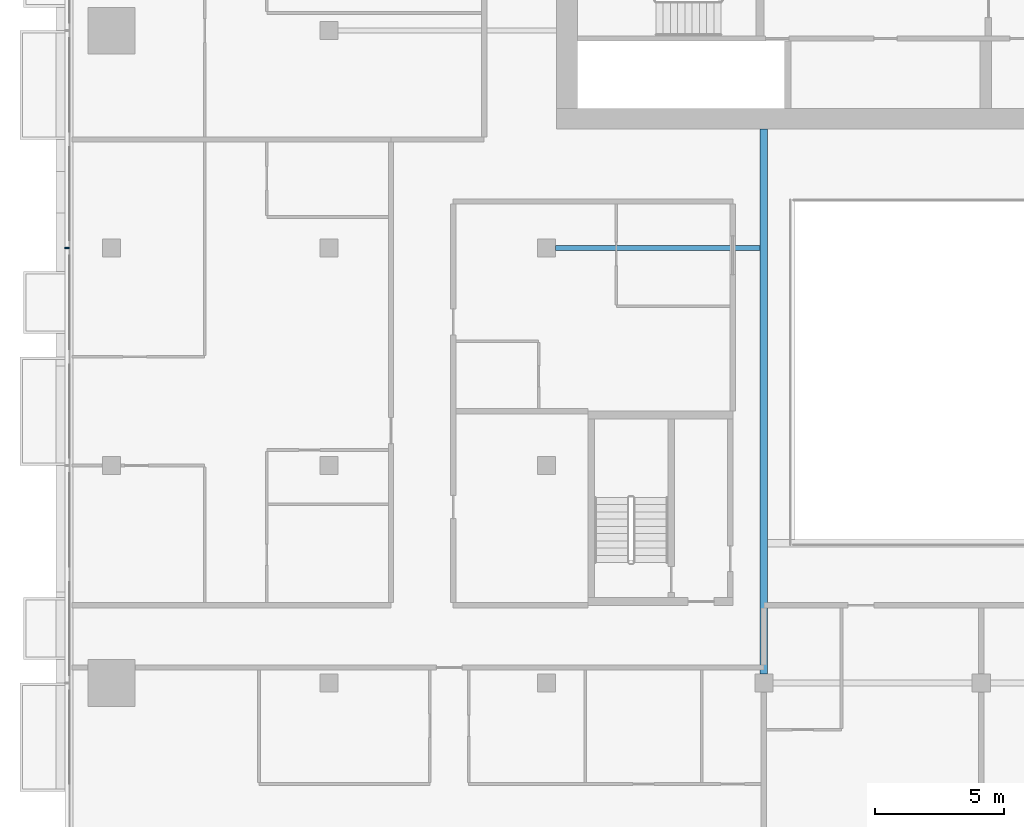
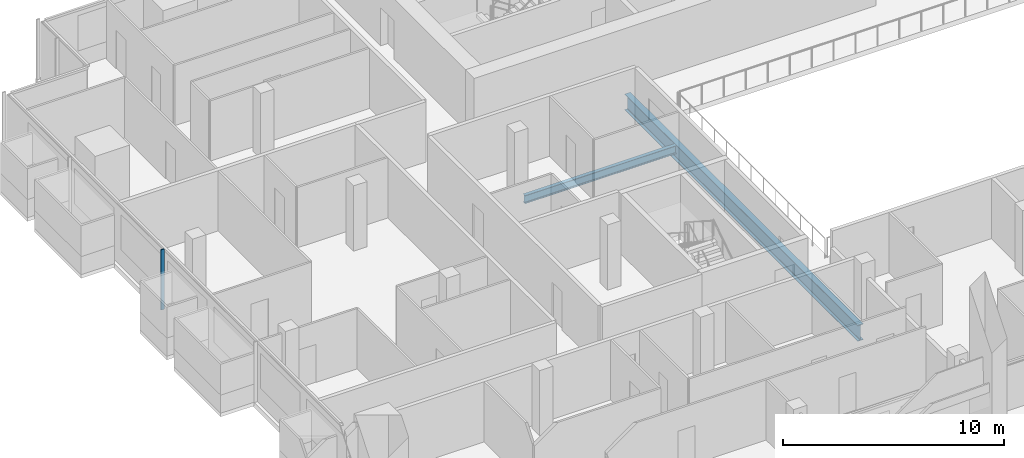
# One storey, part 4 of 31: 2 beams, 1 member, 1 element without a shape of its own.
"""IFC4 building model written with IfcOpenShell, lengths in metres."""

from ifc_helpers import new_model, si_unit, direction, frame, origin, origin_2d, place, context, subcontext, project, spatial, rectangle, i_section, extrude, material, material_profile, profile_set, type_object, element, aggregate, save


model = new_model("IFC4")

# Units and contexts
model_context = context("Model", 3, precision=1e-05, world=origin(), true_north=direction((0.0, 1.0)))
body_context = subcontext(model_context, "Body", "Model", "MODEL_VIEW")
ifc_project = project(units=[si_unit("LENGTHUNIT", "METRE"), si_unit("AREAUNIT", "SQUARE_METRE"), si_unit("VOLUMEUNIT", "CUBIC_METRE"), si_unit("PLANEANGLEUNIT", "RADIAN"), si_unit("MASSUNIT", "GRAM", prefix="KILO")], contexts=[model_context])

# Site, building, storey
site_placement = place(None, origin())
site = spatial("IfcSite", under=ifc_project, at=site_placement, CompositionType="ELEMENT")
building_placement = place(site_placement, origin())
building = spatial("IfcBuilding", under=site, at=building_placement, Name="Saffron Gate Tower", CompositionType="ELEMENT")
storey_placement = place(building_placement, frame((0.0, 0.0, 147.449951171875)))
storey = spatial("IfcBuildingStorey", under=building, at=storey_placement, Name="L35", CompositionType="ELEMENT", Elevation=147.449951171875)

# Beams
ifc_material_1 = material(Name="Structural steel S355", Category="steel")
ifc_material_profile_1 = material_profile(ifc_material_1, i_section(OverallWidth=0.300048828125, OverallDepth=0.889892578125, WebThickness=0.01611328125, FlangeThickness=0.030029296875, FilletRadius=0.030029296875, at=origin_2d()))
ifc_profile_set_1 = profile_set([ifc_material_profile_1], Name="Structural steel S355")
beam_type_1 = type_object("IfcBeamType", Name="B19 HEA 900", PredefinedType="BEAM", material=ifc_profile_set_1)
beam_1_placement = place(storey_placement, frame((75.0, 40.550048828125, -0.724853515625), z_axis=(0.0, 1.0, 0.0), x_axis=(-1.0, 0.0, 0.0)))
element("IfcBeam", 1, at=beam_1_placement, inside=storey, type_object=beam_type_1, Name="B19 ATRIUM GIRDER", PredefinedType="BEAM", context=body_context, shape_type="SweptSolid", body=[
    extrude(i_section(OverallWidth=0.300048828125, OverallDepth=0.889892578125, WebThickness=0.01611328125, FlangeThickness=0.030029296875, FilletRadius=0.030029296875, at=origin_2d()), origin(), (0.0, 0.0, 1.0), 21.050048828125),
])
ifc_material_profile_2 = material_profile(ifc_material_1, i_section(OverallWidth=0.18994140625, OverallDepth=0.449951171875, WebThickness=0.009521484375, FlangeThickness=0.0146484375, FilletRadius=0.02099609375, at=origin_2d()))
ifc_profile_set_2 = profile_set([ifc_material_profile_2], Name="Structural steel S355")
beam_type_2 = type_object("IfcBeamType", Name="B6 IPE 450", PredefinedType="BEAM", material=ifc_profile_set_2)
beam_2_placement = place(storey_placement, frame((66.949951171875, 57.0, -0.5048828125), z_axis=(1.0, 0.0, 0.0), x_axis=(0.0, 1.0, 0.0)))
element("IfcBeam", 2, at=beam_2_placement, inside=storey, type_object=beam_type_2, Name="B6 CORE TIE BEAM", PredefinedType="BEAM", context=body_context, shape_type="SweptSolid", body=[
    extrude(i_section(OverallWidth=0.18994140625, OverallDepth=0.449951171875, WebThickness=0.009521484375, FlangeThickness=0.0146484375, FilletRadius=0.02099609375, at=origin_2d()), origin(), (0.0, 0.0, 1.0), 7.900146484375),
])

# Curtain wall, member
ifc_material_2 = material(Name="Aluminium, bronze anodised", Category="aluminium")
curtain_wall_type = type_object("IfcCurtainWallType", Name="CWS2 curtain wall side facades", PredefinedType="NOTDEFINED", material=ifc_material_2)
curtain_wall_placement = place(storey_placement, origin())
curtain_wall = element("IfcCurtainWall", 3, at=curtain_wall_placement, inside=storey, type_object=curtain_wall_type, Name="CWS2 run 10", PredefinedType="NOTDEFINED")
ifc_material_profile_3 = material_profile(ifc_material_2, rectangle(XDim=0.159912109375, YDim=0.06005859375, at=origin_2d()))
ifc_profile_set_3 = profile_set([ifc_material_profile_3], Name="Aluminium, bronze anodised")
member_type = type_object("IfcMemberType", Name="CWS2 mullion 60x160", PredefinedType="MULLION", material=ifc_profile_set_3)
member_placement = place(storey_placement, frame((48.080078125, 57.0, 0.0), z_axis=(0.0, 0.0, 1.0), x_axis=(1.0, 0.0, 0.0)))
member = element("IfcMember", 4, at=member_placement, type_object=member_type, Name="CWS2 mullion 3", PredefinedType="MULLION", context=body_context, shape_type="SweptSolid", body=[
    extrude(rectangle(XDim=0.159912109375, YDim=0.06005859375, at=origin_2d()), origin(), (0.0, 0.0, 1.0), 3.320068359375),
])
aggregate(curtain_wall, [member])

save(model, "model.ifc")
